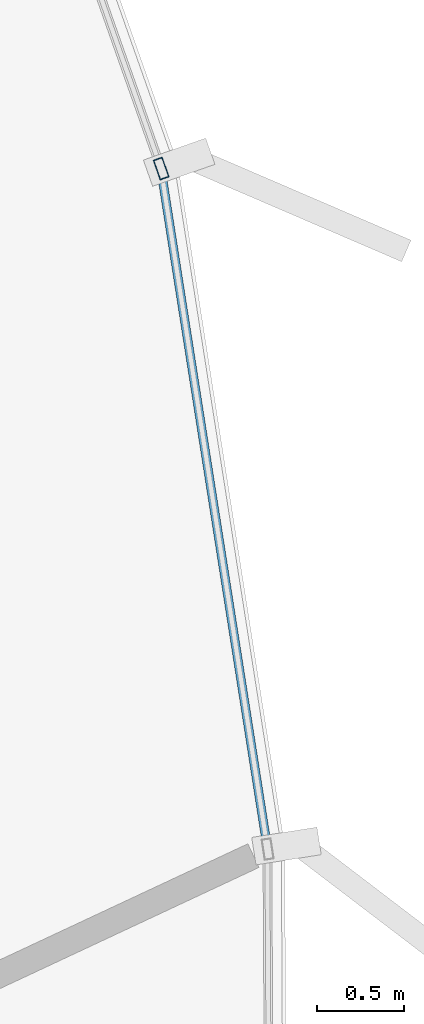
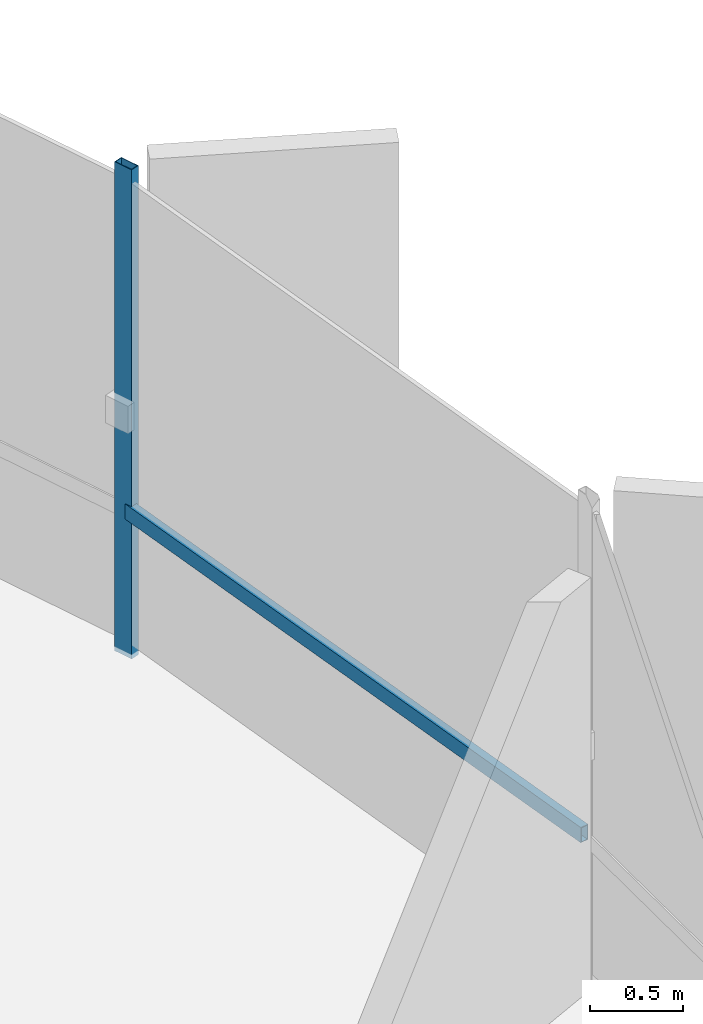
# One storey, part 24 of 34: 2 members, 1 element without a shape of its own.
"""IFC4 building model written with IfcOpenShell, lengths in metres."""

from ifc_helpers import new_model, si_unit, direction, frame, origin, origin_2d, place, context, subcontext, project, spatial, hollow_rectangle, extrude, source, transform, mapped, material, layer, layer_set, material_profile, profile_set, type_object, element, aggregate, save


model = new_model("IFC4")

# Units and contexts
model_context = context("Model", 3, precision=1e-05, world=origin(), true_north=direction((0.0, 1.0)))
body_context = subcontext(model_context, "Body", "Model", "MODEL_VIEW")
ifc_project = project(units=[si_unit("LENGTHUNIT", "METRE"), si_unit("AREAUNIT", "SQUARE_METRE"), si_unit("VOLUMEUNIT", "CUBIC_METRE"), si_unit("PLANEANGLEUNIT", "RADIAN"), si_unit("MASSUNIT", "GRAM", prefix="KILO"), si_unit("THERMODYNAMICTEMPERATUREUNIT", "KELVIN")], contexts=[model_context])

# Site, building, storey
site_placement = place(None, origin())
site = spatial("IfcSite", under=ifc_project, at=site_placement, CompositionType="ELEMENT")
building_placement = place(site_placement, origin())
building = spatial("IfcBuilding", under=site, at=building_placement, Name="Kethvar Cultural Tower", CompositionType="ELEMENT")
storey_placement = place(building_placement, frame((0.0, 0.0, 262.89990234375)))
storey = spatial("IfcBuildingStorey", under=building, at=storey_placement, Name="L69", CompositionType="ELEMENT", Elevation=262.89990234375)

# Curtain wall, members
ifc_material = material(Name="Aluminium 6063-T6", Category="aluminium")
ifc_layer = layer(ifc_material, 0.179931640625, Name="Aluminium 6063-T6", Category="aluminium")
ifc_layer_set = layer_set([ifc_layer], Name="Aluminium 6063-T6 (180 mm)")
curtain_wall_type = type_object("IfcCurtainWallType", Name="CW-SYS-05-Z56", PredefinedType="NOTDEFINED", material=ifc_layer_set)
curtain_wall_placement = place(storey_placement, origin())
curtain_wall = element("IfcCurtainWall", 1, at=curtain_wall_placement, inside=storey, type_object=curtain_wall_type, Name="L69 Curtain Wall Run 06", PredefinedType="NOTDEFINED")
ifc_material_profile_1 = material_profile(ifc_material, hollow_rectangle(XDim=0.054931640625, YDim=0.1201171875, WallThickness=0.00390625, at=origin_2d()), Name="Aluminium 6063-T6 — RHS120x55x4")
ifc_profile_set_1 = profile_set([ifc_material_profile_1], Name="Aluminium 6063-T6 — RHS120x55x4")
member_type_1 = type_object("IfcMemberType", Name="CW-SYS-05-Z56-MUL", PredefinedType="MULLION", material=ifc_profile_set_1)
shared_shape_1 = source(origin(), body_context, "Body", "SweptSolid", [
    extrude(hollow_rectangle(XDim=0.054931640625, YDim=0.1201171875, WallThickness=0.00390625, at=origin_2d()), origin(), (0.0, 0.0, 1.0), 3.210205078125),
])
member_1_placement = place(storey_placement, frame((66.7705078125, 41.259765625, 0.0), z_axis=(0.0, 0.0, 1.0), x_axis=(-0.94308924393, -0.332539738953, 0.0)))
member_1 = element("IfcMember", 2, at=member_1_placement, type_object=member_type_1, Name="CW-L69-R06 Mullion 4", PredefinedType="MULLION", context=body_context, shape_type="MappedRepresentation", body=[
    mapped(shared_shape_1, transform((0.0, 0.0, 0.0), scale=1.0)),
])
ifc_material_profile_2 = material_profile(ifc_material, hollow_rectangle(XDim=0.050048828125, YDim=0.10009765625, WallThickness=0.00390625, at=origin_2d()), Name="Aluminium 6063-T6 — RHS100x50x4")
ifc_profile_set_2 = profile_set([ifc_material_profile_2], Name="Aluminium 6063-T6 — RHS100x50x4")
member_type_2 = type_object("IfcMemberType", Name="CW-SYS-05-Z56-TRN", PredefinedType="USERDEFINED", material=ifc_profile_set_2)
shared_shape_2 = source(origin(), body_context, "Body", "SweptSolid", [
    extrude(hollow_rectangle(XDim=0.050048828125, YDim=0.10009765625, WallThickness=0.00390625, at=origin_2d()), origin(), (0.0, 0.0, 1.0), 3.89990234375),
])
member_2_placement = place(storey_placement, frame((67.376220703125, 37.385498046875, 0.9501953125), z_axis=(-0.154940214462, 0.987923848251, 0.0), x_axis=(-0.987923848251, -0.154940214462, 0.0)))
member_2 = element("IfcMember", 3, at=member_2_placement, type_object=member_type_2, Name="CW-L69-R06 Transom 3", ObjectType="TRANSOM", PredefinedType="USERDEFINED", context=body_context, shape_type="MappedRepresentation", body=[
    mapped(shared_shape_2, transform((0.0, 0.0, 0.0), scale=1.0)),
])
aggregate(curtain_wall, [member_1, member_2])

save(model, "model.ifc")
